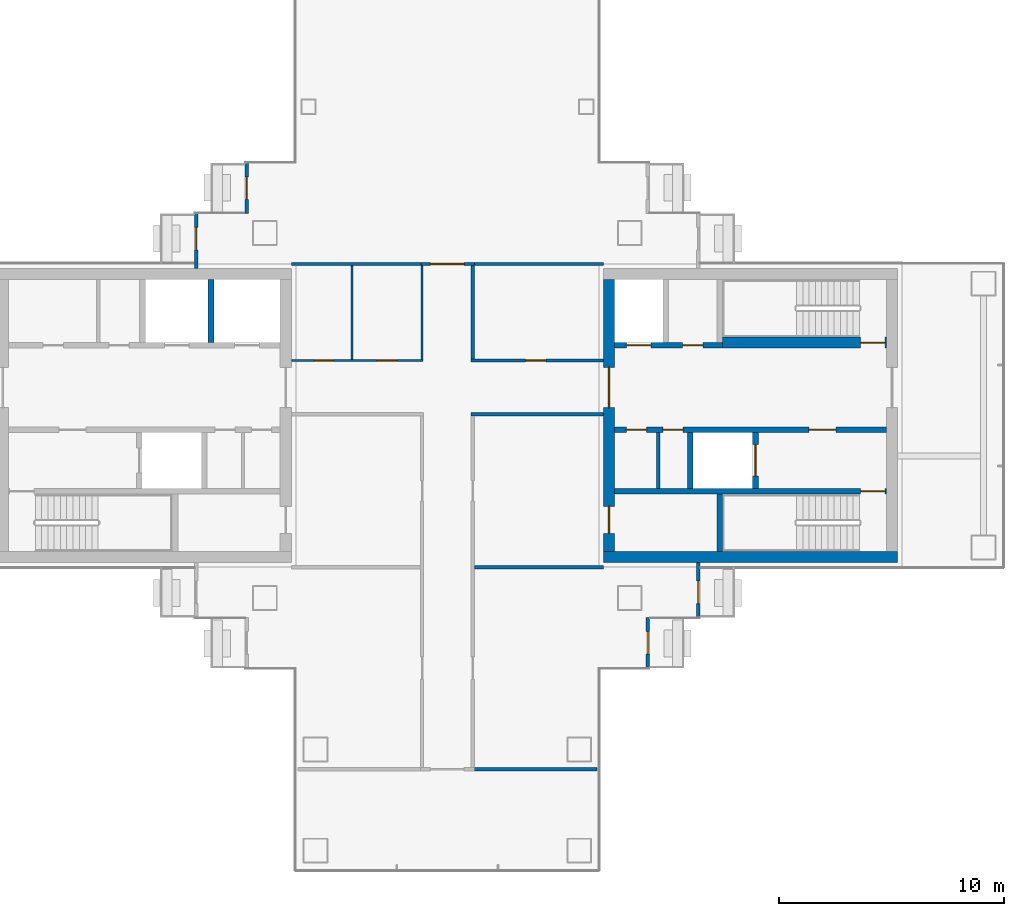
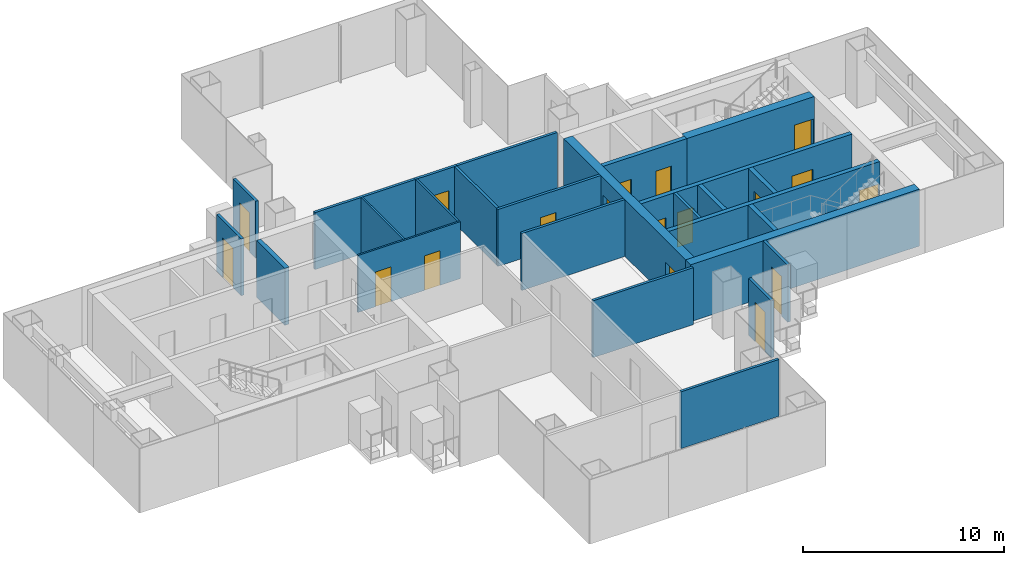
# One storey, part 12 of 17: 26 walls, 18 doors, 18 openings.
"""IFC4 building model written with IfcOpenShell, lengths in metres."""

from ifc_helpers import new_model, si_unit, direction, frame, frame_2d, origin, place, context, subcontext, project, spatial, rectangle, extrude, material, layer, layer_set, type_object, element, fill, save


model = new_model("IFC4")

# Units and contexts
model_context = context("Model", 3, precision=1e-05, world=origin(), true_north=direction((0.0, 1.0)))
body_context = subcontext(model_context, "Body", "Model", "MODEL_VIEW")
ifc_project = project(units=[si_unit("LENGTHUNIT", "METRE"), si_unit("AREAUNIT", "SQUARE_METRE"), si_unit("VOLUMEUNIT", "CUBIC_METRE"), si_unit("PLANEANGLEUNIT", "RADIAN"), si_unit("MASSUNIT", "GRAM", prefix="KILO")], contexts=[model_context])

# Site, building, storey
site_placement = place(None, origin())
site = spatial("IfcSite", under=ifc_project, at=site_placement, CompositionType="ELEMENT")
building_placement = place(site_placement, origin())
building = spatial("IfcBuilding", under=site, at=building_placement, Name="Shamsa Quay Exchange Towers", CompositionType="ELEMENT")
storey_placement = place(building_placement, frame((0.0, 0.0, 174.0)))
storey = spatial("IfcBuildingStorey", under=building, at=storey_placement, Name="L41", CompositionType="ELEMENT", Elevation=174.0)

# Wall, opening, door
ifc_material_1 = material(Name="Aluminium EN AW-6063 T6, black anodised, with black enamelled glass infill", Category="aluminium")
ifc_layer_1 = layer(ifc_material_1, 0.14990234375)
ifc_layer_set_1 = layer_set([ifc_layer_1], Name="BALCONY DOOR BAY WALL 150")
wall_type_1 = type_object("IfcWallType", Name="BALCONY DOOR BAY WALL 150", PredefinedType="SOLIDWALL", material=ifc_layer_set_1)
wall_1_placement = place(storey_placement, frame((24.824951171875, 9.0, 0.0), z_axis=(0.0, 0.0, 1.0), x_axis=(0.0, 1.0, 0.0)))
wall_1 = element("IfcWall", 1, at=wall_1_placement, inside=storey, type_object=wall_type_1, Name="Door bay T2-PKEN L41", PredefinedType="SOLIDWALL", context=body_context, shape_type="SweptSolid", body=[
    extrude(rectangle(XDim=2.25, YDim=0.14990234375, at=frame_2d((1.125, 0.0))), origin(), (0.0, 0.0, 1.0), 3.449951171875),
])
opening_1_placement = place(wall_1_placement, frame((0.625, 0.0, 0.0)))
opening_1 = element("IfcOpeningElement", 2, at=opening_1_placement, cuts=wall_1, Name="Opening XD265", PredefinedType="OPENING", context=body_context, shape_type="SweptSolid", body=[
    extrude(rectangle(XDim=1.0, YDim=2.39990234375, at=frame_2d((0.5, 1.199951171875))), frame((0.0, 0.0849609375, 0.0), z_axis=(0.0, -1.0, 0.0), x_axis=(1.0, 0.0, 0.0)), (0.0, 0.0, 1.0), 0.169921875),
])
ifc_material_2 = material(Name="Aluminium EN AW-6063 T6, black anodised, with laminated glass leaf", Category="aluminium")
door_type_1 = type_object("IfcDoorType", Name="BALCONY DOOR 1000x2400", OperationType="SINGLE_SWING_LEFT", PredefinedType="DOOR", material=ifc_material_2)
door_1_placement = place(opening_1_placement, origin())
door_1 = element("IfcDoor", 3, at=door_1_placement, inside=storey, type_object=door_type_1, Name="Balcony door T2-PKEN L41", OperationType="SINGLE_SWING_RIGHT", OverallHeight=2.39990234375, OverallWidth=1.0, PredefinedType="DOOR", context=body_context, shape_type="SweptSolid", body=[
    extrude(rectangle(XDim=1.0, YDim=2.39990234375, at=frame_2d((0.5, 1.199951171875))), frame((0.0, 0.02490234375, 0.0), z_axis=(0.0, -1.0, 0.0), x_axis=(1.0, 0.0, 0.0)), (0.0, 0.0, 1.0), 0.050048828125),
])
fill(opening_1, door_1)

wall_2_placement = place(storey_placement, frame((22.574951171875, 6.54296875, 0.0), z_axis=(0.0, 0.0, 1.0), x_axis=(0.0, 1.0, 0.0)))
wall_2 = element("IfcWall", 4, at=wall_2_placement, inside=storey, type_object=wall_type_1, Name="Door bay T2-PKEN L41", PredefinedType="SOLIDWALL", context=body_context, shape_type="SweptSolid", body=[
    extrude(rectangle(XDim=2.45703125, YDim=0.14990234375, at=frame_2d((1.228515625, 0.0))), origin(), (0.0, 0.0, 1.0), 3.449951171875),
])
opening_2_placement = place(wall_2_placement, frame((0.83203125, 0.0, 0.0)))
opening_2 = element("IfcOpeningElement", 5, at=opening_2_placement, cuts=wall_2, Name="Opening XD266", PredefinedType="OPENING", context=body_context, shape_type="SweptSolid", body=[
    extrude(rectangle(XDim=1.0, YDim=2.39990234375, at=frame_2d((0.5, 1.199951171875))), frame((0.0, 0.0849609375, 0.0), z_axis=(0.0, -1.0, 0.0), x_axis=(1.0, 0.0, 0.0)), (0.0, 0.0, 1.0), 0.169921875),
])
door_2_placement = place(opening_2_placement, origin())
door_2 = element("IfcDoor", 6, at=door_2_placement, inside=storey, type_object=door_type_1, Name="Balcony door T2-PKEN L41", OperationType="SINGLE_SWING_LEFT", OverallHeight=2.39990234375, OverallWidth=1.0, PredefinedType="DOOR", context=body_context, shape_type="SweptSolid", body=[
    extrude(rectangle(XDim=1.0, YDim=2.39990234375, at=frame_2d((0.5, 1.199951171875))), frame((0.0, 0.02490234375, 0.0), z_axis=(0.0, -1.0, 0.0), x_axis=(1.0, 0.0, 0.0)), (0.0, 0.0, 1.0), 0.050048828125),
])
fill(opening_2, door_2)

wall_3_placement = place(storey_placement, frame((42.675048828125, -9.0, 0.0), z_axis=(0.0, 0.0, 1.0), x_axis=(0.0, -1.0, 0.0)))
wall_3 = element("IfcWall", 7, at=wall_3_placement, inside=storey, type_object=wall_type_1, Name="Door bay T2-PKWS L41", PredefinedType="SOLIDWALL", context=body_context, shape_type="SweptSolid", body=[
    extrude(rectangle(XDim=2.25, YDim=0.14990234375, at=frame_2d((1.125, 0.0))), origin(), (0.0, 0.0, 1.0), 3.449951171875),
])
opening_3_placement = place(wall_3_placement, frame((0.625, 0.0, 0.0)))
opening_3 = element("IfcOpeningElement", 8, at=opening_3_placement, cuts=wall_3, Name="Opening XD271", PredefinedType="OPENING", context=body_context, shape_type="SweptSolid", body=[
    extrude(rectangle(XDim=1.0, YDim=2.39990234375, at=frame_2d((0.5, 1.199951171875))), frame((0.0, 0.0849609375, 0.0), z_axis=(0.0, -1.0, 0.0), x_axis=(1.0, 0.0, 0.0)), (0.0, 0.0, 1.0), 0.169921875),
])
door_3_placement = place(opening_3_placement, origin())
door_3 = element("IfcDoor", 9, at=door_3_placement, inside=storey, type_object=door_type_1, Name="Balcony door T2-PKWS L41", OperationType="SINGLE_SWING_LEFT", OverallHeight=2.39990234375, OverallWidth=1.0, PredefinedType="DOOR", context=body_context, shape_type="SweptSolid", body=[
    extrude(rectangle(XDim=1.0, YDim=2.39990234375, at=frame_2d((0.5, 1.199951171875))), frame((0.0, 0.02490234375, 0.0), z_axis=(0.0, -1.0, 0.0), x_axis=(1.0, 0.0, 0.0)), (0.0, 0.0, 1.0), 0.050048828125),
])
fill(opening_3, door_3)

wall_4_placement = place(storey_placement, frame((44.925048828125, -6.54296875, 0.0), z_axis=(0.0, 0.0, 1.0), x_axis=(0.0, -1.0, 0.0)))
wall_4 = element("IfcWall", 10, at=wall_4_placement, inside=storey, type_object=wall_type_1, Name="Door bay T2-PKWS L41", PredefinedType="SOLIDWALL", context=body_context, shape_type="SweptSolid", body=[
    extrude(rectangle(XDim=2.45703125, YDim=0.14990234375, at=frame_2d((1.228515625, 0.0))), origin(), (0.0, 0.0, 1.0), 3.449951171875),
])
opening_4_placement = place(wall_4_placement, frame((0.83203125, 0.0, 0.0)))
opening_4 = element("IfcOpeningElement", 11, at=opening_4_placement, cuts=wall_4, Name="Opening XD272", PredefinedType="OPENING", context=body_context, shape_type="SweptSolid", body=[
    extrude(rectangle(XDim=1.0, YDim=2.39990234375, at=frame_2d((0.5, 1.199951171875))), frame((0.0, 0.0849609375, 0.0), z_axis=(0.0, -1.0, 0.0), x_axis=(1.0, 0.0, 0.0)), (0.0, 0.0, 1.0), 0.169921875),
])
door_4_placement = place(opening_4_placement, origin())
door_4 = element("IfcDoor", 12, at=door_4_placement, inside=storey, type_object=door_type_1, Name="Balcony door T2-PKWS L41", OperationType="SINGLE_SWING_RIGHT", OverallHeight=2.39990234375, OverallWidth=1.0, PredefinedType="DOOR", context=body_context, shape_type="SweptSolid", body=[
    extrude(rectangle(XDim=1.0, YDim=2.39990234375, at=frame_2d((0.5, 1.199951171875))), frame((0.0, 0.02490234375, 0.0), z_axis=(0.0, -1.0, 0.0), x_axis=(1.0, 0.0, 0.0)), (0.0, 0.0, 1.0), 0.050048828125),
])
fill(opening_4, door_4)

# Wall
ifc_material_3 = material(Name="Concrete C60/75", Category="concrete")
ifc_layer_2 = layer(ifc_material_3, 0.5)
ifc_layer_set_2 = layer_set([ifc_layer_2], Name="CORE WALL 500 C60/75")
wall_type_2 = type_object("IfcWallType", Name="CORE WALL 500 C60/75", PredefinedType="SHEAR", material=ifc_layer_set_2)
wall_5_placement = place(storey_placement, frame((53.800048828125, -6.300048828125, 0.0), z_axis=(0.0, 0.0, 1.0), x_axis=(-1.0, 0.0, 0.0)))
element("IfcWall", 13, at=wall_5_placement, inside=storey, type_object=wall_type_2, Name="Core wall T2B-R19-PS", PredefinedType="SHEAR", context=body_context, shape_type="SweptSolid", body=[
    extrude(rectangle(XDim=13.10009765625, YDim=0.5, at=frame_2d((6.550048828125, 0.0))), origin(), (0.0, 0.0, 1.0), 3.449951171875),
])

# Wall, openings, doors
wall_6_placement = place(storey_placement, frame((40.949951171875, -6.050048828125, 0.0), z_axis=(0.0, 0.0, 1.0), x_axis=(0.0, 1.0, 0.0)))
wall_6 = element("IfcWall", 14, at=wall_6_placement, inside=storey, type_object=wall_type_2, Name="Core wall T2B-R19-PB", PredefinedType="SHEAR", context=body_context, shape_type="SweptSolid", body=[
    extrude(rectangle(XDim=12.10009765625, YDim=0.5, at=frame_2d((6.050048828125, 0.0))), origin(), (0.0, 0.0, 1.0), 3.449951171875),
])
opening_5_placement = place(wall_6_placement, frame((0.800048828125, 0.0, 0.0)))
opening_5 = element("IfcOpeningElement", 15, at=opening_5_placement, cuts=wall_6, Name="Opening T2B-R19-RD02", PredefinedType="OPENING", context=body_context, shape_type="SweptSolid", body=[
    extrude(rectangle(XDim=1.199951171875, YDim=2.10009765625, at=frame_2d((0.60009765625, 1.050048828125))), frame((0.0, 0.260009765625, 0.0), z_axis=(0.0, -1.0, 0.0), x_axis=(1.0, 0.0, 0.0)), (0.0, 0.0, 1.0), 0.52001953125),
])
opening_6_placement = place(wall_6_placement, frame((6.39990234375, 0.0, 0.0)))
opening_6 = element("IfcOpeningElement", 16, at=opening_6_placement, cuts=wall_6, Name="Opening T2B-R19-LBD03", PredefinedType="OPENING", context=body_context, shape_type="SweptSolid", body=[
    extrude(rectangle(XDim=1.800048828125, YDim=2.39990234375, at=frame_2d((0.89990234375, 1.199951171875))), frame((0.0, 0.260009765625, 0.0), z_axis=(0.0, -1.0, 0.0), x_axis=(1.0, 0.0, 0.0)), (0.0, 0.0, 1.0), 0.52001953125),
])
ifc_material_4 = material(Name="Steel, fire rated", Category="steel")
door_type_2 = type_object("IfcDoorType", Name="LIFT LOBBY DOOR PAIR 1800", OperationType="DOUBLE_DOOR_SINGLE_SWING", PredefinedType="DOOR", material=ifc_material_4)
door_5_placement = place(opening_6_placement, origin())
door_5 = element("IfcDoor", 17, at=door_5_placement, inside=storey, type_object=door_type_2, Name="T2B-R19-LBD03", OperationType="DOUBLE_DOOR_SINGLE_SWING", OverallHeight=2.39990234375, OverallWidth=1.800048828125, PredefinedType="DOOR", context=body_context, shape_type="SweptSolid", body=[
    extrude(rectangle(XDim=1.800048828125, YDim=2.39990234375, at=frame_2d((0.89990234375, 1.199951171875))), frame((0.0, 0.02490234375, 0.0), z_axis=(0.0, -1.0, 0.0), x_axis=(1.0, 0.0, 0.0)), (0.0, 0.0, 1.0), 0.050048828125),
])
fill(opening_6, door_5)
door_type_3 = type_object("IfcDoorType", Name="RISER ACCESS DOOR 1200", OperationType="SINGLE_SWING_LEFT", PredefinedType="DOOR", material=ifc_material_4)
door_6_placement = place(opening_5_placement, origin())
door_6 = element("IfcDoor", 18, at=door_6_placement, inside=storey, type_object=door_type_3, Name="T2B-R19-RD02", OperationType="SINGLE_SWING_LEFT", OverallHeight=2.10009765625, OverallWidth=1.199951171875, PredefinedType="DOOR", context=body_context, shape_type="SweptSolid", body=[
    extrude(rectangle(XDim=1.199951171875, YDim=2.10009765625, at=frame_2d((0.60009765625, 1.050048828125))), frame((0.0, 0.02490234375, 0.0), z_axis=(0.0, -1.0, 0.0), x_axis=(1.0, 0.0, 0.0)), (0.0, 0.0, 1.0), 0.050048828125),
])
fill(opening_5, door_6)

# Walls
ifc_material_5 = material(Name="Gypsum board on steel studs, EI 60", Category="steel")
ifc_layer_3 = layer(ifc_material_5, 0.14990234375)
ifc_layer_set_3 = layer_set([ifc_layer_3], Name="FIRE PARTITION 150")
wall_type_3 = type_object("IfcWallType", Name="FIRE PARTITION 150", PredefinedType="PARTITIONING", material=ifc_layer_set_3)
wall_7_placement = place(storey_placement, frame((43.14990234375, -3.25, 0.0), z_axis=(0.0, 0.0, 1.0), x_axis=(0.0, 1.0, 0.0)))
element("IfcWall", 19, at=wall_7_placement, inside=storey, type_object=wall_type_3, Name="Partition T2B-R19-EC0", PredefinedType="PARTITIONING", context=body_context, shape_type="SweptSolid", body=[
    extrude(rectangle(XDim=2.5, YDim=0.14990234375, at=frame_2d((1.25, 0.0))), origin(), (0.0, 0.0, 1.0), 3.449951171875),
])
ifc_material_6 = material(Name="Gypsum board partition on metal studs")
ifc_layer_4 = layer(ifc_material_6, 0.10009765625)
ifc_layer_set_4 = layer_set([ifc_layer_4], Name="Partition 100 mm NOT RATED")
wall_type_4 = type_object("IfcWallType", Name="Partition 100 mm NOT RATED", PredefinedType="PARTITIONING", material=ifc_layer_set_4)
wall_8_placement = place(storey_placement, frame((32.625, 2.500244140625, 0.0), z_axis=(0.0, 0.0, 1.0), x_axis=(0.0, 1.0, 0.0)))
element("IfcWall", 20, at=wall_8_placement, inside=storey, type_object=wall_type_4, Name="Partition T2-R19-W01", PredefinedType="PARTITIONING", context=body_context, shape_type="SweptSolid", body=[
    extrude(rectangle(XDim=4.1748046875, YDim=0.10009765625, at=frame_2d((2.08740234375, 0.0))), origin(), (0.0, 0.0, 1.0), 3.449951171875),
])

# Wall, openings, doors
wall_9_placement = place(storey_placement, frame((26.800048828125, 2.4501953125, 0.0)))
wall_9 = element("IfcWall", 21, at=wall_9_placement, inside=storey, type_object=wall_type_4, Name="Partition T2-R19-W02", PredefinedType="PARTITIONING", context=body_context, shape_type="SweptSolid", body=[
    extrude(rectangle(XDim=5.875, YDim=0.10009765625, at=frame_2d((2.9375, 0.0))), origin(), (0.0, 0.0, 1.0), 3.449951171875),
])
opening_7_placement = place(wall_9_placement, frame((3.8125, 0.0, 0.0)))
opening_7 = element("IfcOpeningElement", 22, at=opening_7_placement, cuts=wall_9, Name="Opening T2-R19-D08", PredefinedType="OPENING", context=body_context, shape_type="SweptSolid", body=[
    extrude(rectangle(XDim=0.89990234375, YDim=2.10009765625, at=frame_2d((0.449951171875, 1.050048828125))), frame((0.0, 0.06005859375, 0.0), z_axis=(0.0, -1.0, 0.0), x_axis=(1.0, 0.0, 0.0)), (0.0, 0.0, 1.0), 0.1201171875),
])
opening_8_placement = place(wall_9_placement, frame((1.0, 0.0, 0.0)))
opening_8 = element("IfcOpeningElement", 23, at=opening_8_placement, cuts=wall_9, Name="Opening T2-R19-D09", PredefinedType="OPENING", context=body_context, shape_type="SweptSolid", body=[
    extrude(rectangle(XDim=0.89990234375, YDim=2.10009765625, at=frame_2d((0.449951171875, 1.050048828125))), frame((0.0, 0.06005859375, 0.0), z_axis=(0.0, -1.0, 0.0), x_axis=(1.0, 0.0, 0.0)), (0.0, 0.0, 1.0), 0.1201171875),
])
ifc_material_7 = material(Name="Timber door leaf in a metal frame", Category="wood")
door_type_4 = type_object("IfcDoorType", Name="Door 900x2100 NOT RATED", OperationType="NOTDEFINED", PredefinedType="DOOR", material=ifc_material_7)
door_7_placement = place(opening_7_placement, origin())
door_7 = element("IfcDoor", 24, at=door_7_placement, inside=storey, type_object=door_type_4, Name="Door T2-R19-D08", OperationType="SINGLE_SWING_LEFT", OverallHeight=2.10009765625, OverallWidth=0.89990234375, PredefinedType="DOOR", context=body_context, shape_type="SweptSolid", body=[
    extrude(rectangle(XDim=0.89990234375, YDim=2.10009765625, at=frame_2d((0.449951171875, 1.050048828125))), frame((0.0, 0.02490234375, 0.0), z_axis=(0.0, -1.0, 0.0), x_axis=(1.0, 0.0, 0.0)), (0.0, 0.0, 1.0), 0.050048828125),
])
fill(opening_7, door_7)
door_8_placement = place(opening_8_placement, origin())
door_8 = element("IfcDoor", 25, at=door_8_placement, inside=storey, type_object=door_type_4, Name="Door T2-R19-D09", OperationType="SINGLE_SWING_RIGHT", OverallHeight=2.10009765625, OverallWidth=0.89990234375, PredefinedType="DOOR", context=body_context, shape_type="SweptSolid", body=[
    extrude(rectangle(XDim=0.89990234375, YDim=2.10009765625, at=frame_2d((0.449951171875, 1.050048828125))), frame((0.0, 0.02490234375, 0.0), z_axis=(0.0, -1.0, 0.0), x_axis=(1.0, 0.0, 0.0)), (0.0, 0.0, 1.0), 0.050048828125),
])
fill(opening_8, door_8)

# Walls
wall_10_placement = place(storey_placement, frame((29.5, 6.675048828125, 0.0), z_axis=(0.0, 0.0, 1.0), x_axis=(0.0, -1.0, 0.0)))
element("IfcWall", 26, at=wall_10_placement, inside=storey, type_object=wall_type_4, Name="Partition T2-R19-W11", PredefinedType="PARTITIONING", context=body_context, shape_type="SweptSolid", body=[
    extrude(rectangle(XDim=4.1748046875, YDim=0.10009765625, at=frame_2d((2.08740234375, 0.0))), origin(), (0.0, 0.0, 1.0), 3.449951171875),
])
ifc_layer_5 = layer(ifc_material_6, 0.14990234375)
ifc_layer_set_5 = layer_set([ifc_layer_5], Name="Partition 150 mm EI 60")
wall_type_5 = type_object("IfcWallType", Name="Partition 150 mm EI 60", PredefinedType="PARTITIONING", material=ifc_layer_set_5)
wall_11_placement = place(storey_placement, frame((40.699951171875, 0.0498046875, 0.0), z_axis=(0.0, 0.0, 1.0), x_axis=(-1.0, 0.0, 0.0)))
element("IfcWall", 27, at=wall_11_placement, inside=storey, type_object=wall_type_5, Name="Partition T2-R19-W04", PredefinedType="PARTITIONING", context=body_context, shape_type="SweptSolid", body=[
    extrude(rectangle(XDim=5.89990234375, YDim=0.14990234375, at=frame_2d((2.949951171875, 0.0))), origin(), (0.0, 0.0, 1.0), 3.449951171875),
])

# Wall, opening, door
wall_12_placement = place(storey_placement, frame((34.800048828125, 2.4501953125, 0.0)))
wall_12 = element("IfcWall", 28, at=wall_12_placement, inside=storey, type_object=wall_type_5, Name="Partition T2-R19-W06", PredefinedType="PARTITIONING", context=body_context, shape_type="SweptSolid", body=[
    extrude(rectangle(XDim=5.89990234375, YDim=0.14990234375, at=frame_2d((2.949951171875, 0.0))), origin(), (0.0, 0.0, 1.0), 3.449951171875),
])
opening_9_placement = place(wall_12_placement, frame((2.4375, 0.0, 0.0)))
opening_9 = element("IfcOpeningElement", 29, at=opening_9_placement, cuts=wall_12, Name="Opening T2-R19-D01", PredefinedType="OPENING", context=body_context, shape_type="SweptSolid", body=[
    extrude(rectangle(XDim=0.89990234375, YDim=2.10009765625, at=frame_2d((0.449951171875, 1.050048828125))), frame((0.0, 0.0849609375, 0.0), z_axis=(0.0, -1.0, 0.0), x_axis=(1.0, 0.0, 0.0)), (0.0, 0.0, 1.0), 0.169921875),
])
door_type_5 = type_object("IfcDoorType", Name="Door 900x2100 FD30S", OperationType="NOTDEFINED", PredefinedType="DOOR", material=ifc_material_7)
door_9_placement = place(opening_9_placement, origin())
door_9 = element("IfcDoor", 30, at=door_9_placement, inside=storey, type_object=door_type_5, Name="Door T2-R19-D01", OperationType="SINGLE_SWING_RIGHT", OverallHeight=2.10009765625, OverallWidth=0.89990234375, PredefinedType="DOOR", context=body_context, shape_type="SweptSolid", body=[
    extrude(rectangle(XDim=0.89990234375, YDim=2.10009765625, at=frame_2d((0.449951171875, 1.050048828125))), frame((0.0, 0.02490234375, 0.0), z_axis=(0.0, -1.0, 0.0), x_axis=(1.0, 0.0, 0.0)), (0.0, 0.0, 1.0), 0.050048828125),
])
fill(opening_9, door_9)

# Wall
wall_13_placement = place(storey_placement, frame((34.875, 6.675048828125, 0.0), z_axis=(0.0, 0.0, 1.0), x_axis=(0.0, -1.0, 0.0)))
element("IfcWall", 31, at=wall_13_placement, inside=storey, type_object=wall_type_5, Name="Partition T2-R19-W08", PredefinedType="PARTITIONING", context=body_context, shape_type="SweptSolid", body=[
    extrude(rectangle(XDim=4.14990234375, YDim=0.14990234375, at=frame_2d((2.074951171875, 0.0))), origin(), (0.0, 0.0, 1.0), 3.449951171875),
])

# Wall, opening, door
wall_14_placement = place(storey_placement, frame((32.574951171875, 6.75, 0.0)))
wall_14 = element("IfcWall", 32, at=wall_14_placement, inside=storey, type_object=wall_type_5, Name="Partition T2-R19-W09", PredefinedType="PARTITIONING", context=body_context, shape_type="SweptSolid", body=[
    extrude(rectangle(XDim=2.375, YDim=0.14990234375, at=frame_2d((1.1875, 0.0))), origin(), (0.0, 0.0, 1.0), 3.449951171875),
])
opening_10_placement = place(wall_14_placement, frame((0.425048828125, 0.0, 0.0)))
opening_10 = element("IfcOpeningElement", 33, at=opening_10_placement, cuts=wall_14, Name="Opening T2-R19-D04", PredefinedType="OPENING", context=body_context, shape_type="SweptSolid", body=[
    extrude(rectangle(XDim=1.5, YDim=2.10009765625, at=frame_2d((0.75, 1.050048828125))), frame((0.0, 0.0849609375, 0.0), z_axis=(0.0, -1.0, 0.0), x_axis=(1.0, 0.0, 0.0)), (0.0, 0.0, 1.0), 0.169921875),
])
door_type_6 = type_object("IfcDoorType", Name="Door 1500x2100 FD30S pair", OperationType="NOTDEFINED", PredefinedType="DOOR", material=ifc_material_7)
door_10_placement = place(opening_10_placement, origin())
door_10 = element("IfcDoor", 34, at=door_10_placement, inside=storey, type_object=door_type_6, Name="Door T2-R19-D04", OperationType="DOUBLE_DOOR_SINGLE_SWING", OverallHeight=2.10009765625, OverallWidth=1.5, PredefinedType="DOOR", context=body_context, shape_type="SweptSolid", body=[
    extrude(rectangle(XDim=1.5, YDim=2.10009765625, at=frame_2d((0.75, 1.050048828125))), frame((0.0, 0.02490234375, 0.0), z_axis=(0.0, -1.0, 0.0), x_axis=(1.0, 0.0, 0.0)), (0.0, 0.0, 1.0), 0.050048828125),
])
fill(opening_10, door_10)

# Walls
wall_15_placement = place(storey_placement, frame((32.675048828125, 6.75, 0.0), z_axis=(0.0, 0.0, 1.0), x_axis=(-1.0, 0.0, 0.0)))
element("IfcWall", 35, at=wall_15_placement, inside=storey, type_object=wall_type_5, Name="Partition T2-R19-W12", PredefinedType="PARTITIONING", context=body_context, shape_type="SweptSolid", body=[
    extrude(rectangle(XDim=5.875, YDim=0.14990234375, at=frame_2d((2.9375, 0.0))), origin(), (0.0, 0.0, 1.0), 3.449951171875),
])
wall_16_placement = place(storey_placement, frame((40.699951171875, 6.75, 0.0), z_axis=(0.0, 0.0, 1.0), x_axis=(-1.0, 0.0, 0.0)))
element("IfcWall", 36, at=wall_16_placement, inside=storey, type_object=wall_type_5, Name="Partition T2-R19-W13", PredefinedType="PARTITIONING", context=body_context, shape_type="SweptSolid", body=[
    extrude(rectangle(XDim=5.89990234375, YDim=0.14990234375, at=frame_2d((2.949951171875, 0.0))), origin(), (0.0, 0.0, 1.0), 3.449951171875),
])
wall_17_placement = place(storey_placement, frame((34.949951171875, -6.75, 0.0)))
element("IfcWall", 37, at=wall_17_placement, inside=storey, type_object=wall_type_5, Name="Partition T2-R19-W14", PredefinedType="PARTITIONING", context=body_context, shape_type="SweptSolid", body=[
    extrude(rectangle(XDim=5.75, YDim=0.14990234375, at=frame_2d((2.875, 0.0))), origin(), (0.0, 0.0, 1.0), 3.449951171875),
])
wall_18_placement = place(storey_placement, frame((34.800048828125, -15.75, 0.0)))
element("IfcWall", 38, at=wall_18_placement, inside=storey, type_object=wall_type_5, Name="Partition T2-R19-W16", PredefinedType="PARTITIONING", context=body_context, shape_type="SweptSolid", body=[
    extrude(rectangle(XDim=5.60498046875, YDim=0.14990234375, at=frame_2d((2.802490234375, 0.0))), origin(), (0.0, 0.0, 1.0), 3.449951171875),
])
ifc_material_8 = material(Name="Concrete C50/60", Category="concrete")
ifc_layer_6 = layer(ifc_material_8, 0.25)
ifc_layer_set_6 = layer_set([ifc_layer_6], Name="SHAFT WALL 250 C50/60")
wall_type_6 = type_object("IfcWallType", Name="SHAFT WALL 250 C50/60", PredefinedType="SHEAR", material=ifc_layer_set_6)
wall_19_placement = place(storey_placement, frame((23.22509765625, 3.25, 0.0), z_axis=(0.0, 0.0, 1.0), x_axis=(0.0, 1.0, 0.0)))
element("IfcWall", 39, at=wall_19_placement, inside=storey, type_object=wall_type_6, Name="Shaft wall T2A-R19-D2", PredefinedType="SHEAR", context=body_context, shape_type="SweptSolid", body=[
    extrude(rectangle(XDim=2.800048828125, YDim=0.25, at=frame_2d((1.39990234375, 0.0))), origin(), (0.0, 0.0, 1.0), 3.449951171875),
])

# Wall, opening, door
wall_20_placement = place(storey_placement, frame((53.300048828125, -3.375, 0.0), z_axis=(0.0, 0.0, 1.0), x_axis=(-1.0, 0.0, 0.0)))
wall_20 = element("IfcWall", 40, at=wall_20_placement, inside=storey, type_object=wall_type_6, Name="Shaft wall T2B-R19-STL", PredefinedType="SHEAR", context=body_context, shape_type="SweptSolid", body=[
    extrude(rectangle(XDim=12.10009765625, YDim=0.25, at=frame_2d((6.050048828125, 0.0))), origin(), (0.0, 0.0, 1.0), 3.449951171875),
])
opening_11_placement = place(wall_20_placement, frame((0.050048828125, 0.0, 0.0)))
opening_11 = element("IfcOpeningElement", 41, at=opening_11_placement, cuts=wall_20, Name="Opening T2B-R19-SD04", PredefinedType="OPENING", context=body_context, shape_type="SweptSolid", body=[
    extrude(rectangle(XDim=1.10009765625, YDim=2.10009765625, at=frame_2d((0.550048828125, 1.050048828125))), frame((0.0, 0.135009765625, 0.0), z_axis=(0.0, -1.0, 0.0), x_axis=(1.0, 0.0, 0.0)), (0.0, 0.0, 1.0), 0.27001953125),
])
door_type_7 = type_object("IfcDoorType", Name="STAIR DOOR 1100", OperationType="SINGLE_SWING_LEFT", PredefinedType="DOOR", material=ifc_material_4)
door_11_placement = place(opening_11_placement, origin())
door_11 = element("IfcDoor", 42, at=door_11_placement, inside=storey, type_object=door_type_7, Name="T2B-R19-SD04", OperationType="SINGLE_SWING_LEFT", OverallHeight=2.10009765625, OverallWidth=1.10009765625, PredefinedType="DOOR", context=body_context, shape_type="SweptSolid", body=[
    extrude(rectangle(XDim=1.10009765625, YDim=2.10009765625, at=frame_2d((0.550048828125, 1.050048828125))), frame((0.0, 0.02490234375, 0.0), z_axis=(0.0, -1.0, 0.0), x_axis=(1.0, 0.0, 0.0)), (0.0, 0.0, 1.0), 0.050048828125),
])
fill(opening_11, door_11)

# Wall
wall_21_placement = place(storey_placement, frame((45.875, -6.050048828125, 0.0), z_axis=(0.0, 0.0, 1.0), x_axis=(0.0, 1.0, 0.0)))
element("IfcWall", 43, at=wall_21_placement, inside=storey, type_object=wall_type_6, Name="Shaft wall T2B-R19-STF", PredefinedType="SHEAR", context=body_context, shape_type="SweptSolid", body=[
    extrude(rectangle(XDim=2.550048828125, YDim=0.25, at=frame_2d((1.27490234375, 0.0))), origin(), (0.0, 0.0, 1.0), 3.449951171875),
])

# Wall, openings, doors
wall_22_placement = place(storey_placement, frame((53.300048828125, -0.625, 0.0), z_axis=(0.0, 0.0, 1.0), x_axis=(-1.0, 0.0, 0.0)))
wall_22 = element("IfcWall", 44, at=wall_22_placement, inside=storey, type_object=wall_type_6, Name="Shaft wall T2B-R19-B", PredefinedType="SHEAR", context=body_context, shape_type="SweptSolid", body=[
    extrude(rectangle(XDim=12.10009765625, YDim=0.25, at=frame_2d((6.050048828125, 0.0))), origin(), (0.0, 0.0, 1.0), 3.449951171875),
])
opening_12_placement = place(wall_22_placement, frame((2.25, 0.0, 0.0)))
opening_12 = element("IfcOpeningElement", 45, at=opening_12_placement, cuts=wall_22, Name="Opening T2B-R19-FD05", PredefinedType="OPENING", context=body_context, shape_type="SweptSolid", body=[
    extrude(rectangle(XDim=1.199951171875, YDim=2.10009765625, at=frame_2d((0.60009765625, 1.050048828125))), frame((0.0, 0.135009765625, 0.0), z_axis=(0.0, -1.0, 0.0), x_axis=(1.0, 0.0, 0.0)), (0.0, 0.0, 1.0), 0.27001953125),
])
opening_13_placement = place(wall_22_placement, frame((9.050048828125, 0.0, 0.0)))
opening_13 = element("IfcOpeningElement", 46, at=opening_13_placement, cuts=wall_22, Name="Opening T2B-R19-SV06", PredefinedType="OPENING", context=body_context, shape_type="SweptSolid", body=[
    extrude(rectangle(XDim=0.89990234375, YDim=2.10009765625, at=frame_2d((0.449951171875, 1.050048828125))), frame((0.0, 0.135009765625, 0.0), z_axis=(0.0, -1.0, 0.0), x_axis=(1.0, 0.0, 0.0)), (0.0, 0.0, 1.0), 0.27001953125),
])
opening_14_placement = place(wall_22_placement, frame((10.675048828125, 0.0, 0.0)))
opening_14 = element("IfcOpeningElement", 47, at=opening_14_placement, cuts=wall_22, Name="Opening T2B-R19-SV07", PredefinedType="OPENING", context=body_context, shape_type="SweptSolid", body=[
    extrude(rectangle(XDim=0.89990234375, YDim=2.10009765625, at=frame_2d((0.449951171875, 1.050048828125))), frame((0.0, 0.135009765625, 0.0), z_axis=(0.0, -1.0, 0.0), x_axis=(1.0, 0.0, 0.0)), (0.0, 0.0, 1.0), 0.27001953125),
])
door_type_8 = type_object("IfcDoorType", Name="FIRE SERVICE LOBBY DOOR 1200", OperationType="SINGLE_SWING_LEFT", PredefinedType="DOOR", material=ifc_material_4)
door_12_placement = place(opening_12_placement, origin())
door_12 = element("IfcDoor", 48, at=door_12_placement, inside=storey, type_object=door_type_8, Name="T2B-R19-FD05", OperationType="SINGLE_SWING_LEFT", OverallHeight=2.10009765625, OverallWidth=1.199951171875, PredefinedType="DOOR", context=body_context, shape_type="SweptSolid", body=[
    extrude(rectangle(XDim=1.199951171875, YDim=2.10009765625, at=frame_2d((0.60009765625, 1.050048828125))), frame((0.0, 0.02490234375, 0.0), z_axis=(0.0, -1.0, 0.0), x_axis=(1.0, 0.0, 0.0)), (0.0, 0.0, 1.0), 0.050048828125),
])
fill(opening_12, door_12)
door_type_9 = type_object("IfcDoorType", Name="SERVICE ROOM DOOR 900", OperationType="SINGLE_SWING_LEFT", PredefinedType="DOOR", material=ifc_material_4)
door_13_placement = place(opening_13_placement, origin())
door_13 = element("IfcDoor", 49, at=door_13_placement, inside=storey, type_object=door_type_9, Name="T2B-R19-SV06", OperationType="SINGLE_SWING_RIGHT", OverallHeight=2.10009765625, OverallWidth=0.89990234375, PredefinedType="DOOR", context=body_context, shape_type="SweptSolid", body=[
    extrude(rectangle(XDim=0.89990234375, YDim=2.10009765625, at=frame_2d((0.449951171875, 1.050048828125))), frame((0.0, 0.02490234375, 0.0), z_axis=(0.0, -1.0, 0.0), x_axis=(1.0, 0.0, 0.0)), (0.0, 0.0, 1.0), 0.050048828125),
])
fill(opening_13, door_13)
door_14_placement = place(opening_14_placement, origin())
door_14 = element("IfcDoor", 50, at=door_14_placement, inside=storey, type_object=door_type_9, Name="T2B-R19-SV07", OperationType="SINGLE_SWING_RIGHT", OverallHeight=2.10009765625, OverallWidth=0.89990234375, PredefinedType="DOOR", context=body_context, shape_type="SweptSolid", body=[
    extrude(rectangle(XDim=0.89990234375, YDim=2.10009765625, at=frame_2d((0.449951171875, 1.050048828125))), frame((0.0, 0.02490234375, 0.0), z_axis=(0.0, -1.0, 0.0), x_axis=(1.0, 0.0, 0.0)), (0.0, 0.0, 1.0), 0.050048828125),
])
fill(opening_14, door_14)

# Wall, opening, door
wall_23_placement = place(storey_placement, frame((47.47509765625, -3.25, 0.0), z_axis=(0.0, 0.0, 1.0), x_axis=(0.0, 1.0, 0.0)))
wall_23 = element("IfcWall", 51, at=wall_23_placement, inside=storey, type_object=wall_type_6, Name="Shaft wall T2B-R19-FFF", PredefinedType="SHEAR", context=body_context, shape_type="SweptSolid", body=[
    extrude(rectangle(XDim=2.5, YDim=0.25, at=frame_2d((1.25, 0.0))), origin(), (0.0, 0.0, 1.0), 3.449951171875),
])
opening_15_placement = place(wall_23_placement, frame((0.550048828125, 0.0, 0.0)))
opening_15 = element("IfcOpeningElement", 52, at=opening_15_placement, cuts=wall_23, Name="Opening T2B-R19-LDG08", PredefinedType="OPENING", context=body_context, shape_type="SweptSolid", body=[
    extrude(rectangle(XDim=1.39990234375, YDim=2.39990234375, at=frame_2d((0.699951171875, 1.199951171875))), frame((0.0, 0.135009765625, 0.0), z_axis=(0.0, -1.0, 0.0), x_axis=(1.0, 0.0, 0.0)), (0.0, 0.0, 1.0), 0.27001953125),
])
door_type_10 = type_object("IfcDoorType", Name="GOODS LIFT LANDING DOOR 1400", OperationType="SLIDING_TO_LEFT", PredefinedType="DOOR", material=ifc_material_4)
door_15_placement = place(opening_15_placement, origin())
door_15 = element("IfcDoor", 53, at=door_15_placement, inside=storey, type_object=door_type_10, Name="T2B-R19-LDG08", OperationType="SLIDING_TO_LEFT", OverallHeight=2.39990234375, OverallWidth=1.39990234375, PredefinedType="DOOR", context=body_context, shape_type="SweptSolid", body=[
    extrude(rectangle(XDim=1.39990234375, YDim=2.39990234375, at=frame_2d((0.699951171875, 1.199951171875))), frame((0.0, 0.02490234375, 0.0), z_axis=(0.0, -1.0, 0.0), x_axis=(1.0, 0.0, 0.0)), (0.0, 0.0, 1.0), 0.050048828125),
])
fill(opening_15, door_15)

# Wall
wall_24_placement = place(storey_placement, frame((44.574951171875, -3.25, 0.0), z_axis=(0.0, 0.0, 1.0), x_axis=(0.0, 1.0, 0.0)))
element("IfcWall", 54, at=wall_24_placement, inside=storey, type_object=wall_type_6, Name="Shaft wall T2B-R19-FFB", PredefinedType="SHEAR", context=body_context, shape_type="SweptSolid", body=[
    extrude(rectangle(XDim=2.5, YDim=0.25, at=frame_2d((1.25, 0.0))), origin(), (0.0, 0.0, 1.0), 3.449951171875),
])

# Wall, openings, doors
wall_25_placement = place(storey_placement, frame((41.199951171875, 3.125, 0.0)))
wall_25 = element("IfcWall", 55, at=wall_25_placement, inside=storey, type_object=wall_type_6, Name="Shaft wall T2B-R19-N2", PredefinedType="SHEAR", context=body_context, shape_type="SweptSolid", body=[
    extrude(rectangle(XDim=4.800048828125, YDim=0.25, at=frame_2d((2.39990234375, 0.0))), origin(), (0.0, 0.0, 1.0), 3.449951171875),
])
opening_16_placement = place(wall_25_placement, frame((0.52490234375, 0.0, 0.0)))
opening_16 = element("IfcOpeningElement", 56, at=opening_16_placement, cuts=wall_25, Name="Opening T2B-R19-LD10", PredefinedType="OPENING", context=body_context, shape_type="SweptSolid", body=[
    extrude(rectangle(XDim=1.10009765625, YDim=2.10009765625, at=frame_2d((0.550048828125, 1.050048828125))), frame((0.0, 0.135009765625, 0.0), z_axis=(0.0, -1.0, 0.0), x_axis=(1.0, 0.0, 0.0)), (0.0, 0.0, 1.0), 0.27001953125),
])
opening_17_placement = place(wall_25_placement, frame((3.02490234375, 0.0, 0.0)))
opening_17 = element("IfcOpeningElement", 57, at=opening_17_placement, cuts=wall_25, Name="Opening T2B-R19-SV11", PredefinedType="OPENING", context=body_context, shape_type="SweptSolid", body=[
    extrude(rectangle(XDim=0.89990234375, YDim=2.10009765625, at=frame_2d((0.449951171875, 1.050048828125))), frame((0.0, 0.135009765625, 0.0), z_axis=(0.0, -1.0, 0.0), x_axis=(1.0, 0.0, 0.0)), (0.0, 0.0, 1.0), 0.27001953125),
])
door_type_11 = type_object("IfcDoorType", Name="LANDING DOOR 1100", OperationType="SLIDING_TO_LEFT", PredefinedType="DOOR", material=ifc_material_4)
door_16_placement = place(opening_16_placement, origin())
door_16 = element("IfcDoor", 58, at=door_16_placement, inside=storey, type_object=door_type_11, Name="T2B-R19-LD10", OperationType="SLIDING_TO_LEFT", OverallHeight=2.10009765625, OverallWidth=1.10009765625, PredefinedType="DOOR", context=body_context, shape_type="SweptSolid", body=[
    extrude(rectangle(XDim=1.10009765625, YDim=2.10009765625, at=frame_2d((0.550048828125, 1.050048828125))), frame((0.0, 0.02490234375, 0.0), z_axis=(0.0, -1.0, 0.0), x_axis=(1.0, 0.0, 0.0)), (0.0, 0.0, 1.0), 0.050048828125),
])
fill(opening_16, door_16)
door_17_placement = place(opening_17_placement, origin())
door_17 = element("IfcDoor", 59, at=door_17_placement, inside=storey, type_object=door_type_9, Name="T2B-R19-SV11", OperationType="SINGLE_SWING_RIGHT", OverallHeight=2.10009765625, OverallWidth=0.89990234375, PredefinedType="DOOR", context=body_context, shape_type="SweptSolid", body=[
    extrude(rectangle(XDim=0.89990234375, YDim=2.10009765625, at=frame_2d((0.449951171875, 1.050048828125))), frame((0.0, 0.02490234375, 0.0), z_axis=(0.0, -1.0, 0.0), x_axis=(1.0, 0.0, 0.0)), (0.0, 0.0, 1.0), 0.050048828125),
])
fill(opening_17, door_17)

# Wall, opening, door
ifc_layer_7 = layer(ifc_material_8, 0.5)
ifc_layer_set_7 = layer_set([ifc_layer_7], Name="SHAFT WALL 500 C50/60")
wall_type_7 = type_object("IfcWallType", Name="SHAFT WALL 500 C50/60", PredefinedType="SHEAR", material=ifc_layer_set_7)
wall_26_placement = place(storey_placement, frame((46.0, 3.25, 0.0)))
wall_26 = element("IfcWall", 60, at=wall_26_placement, inside=storey, type_object=wall_type_7, Name="Shaft wall T2B-R19-N", PredefinedType="SHEAR", context=body_context, shape_type="SweptSolid", body=[
    extrude(rectangle(XDim=7.300048828125, YDim=0.5, at=frame_2d((3.64990234375, 0.0))), origin(), (0.0, 0.0, 1.0), 3.449951171875),
])
opening_18_placement = place(wall_26_placement, frame((6.14990234375, 0.0, 0.0)))
opening_18 = element("IfcOpeningElement", 61, at=opening_18_placement, cuts=wall_26, Name="Opening T2B-R19-SD09", PredefinedType="OPENING", context=body_context, shape_type="SweptSolid", body=[
    extrude(rectangle(XDim=1.10009765625, YDim=2.10009765625, at=frame_2d((0.550048828125, 1.050048828125))), frame((0.0, 0.260009765625, 0.0), z_axis=(0.0, -1.0, 0.0), x_axis=(1.0, 0.0, 0.0)), (0.0, 0.0, 1.0), 0.52001953125),
])
door_18_placement = place(opening_18_placement, origin())
door_18 = element("IfcDoor", 62, at=door_18_placement, inside=storey, type_object=door_type_7, Name="T2B-R19-SD09", OperationType="SINGLE_SWING_RIGHT", OverallHeight=2.10009765625, OverallWidth=1.10009765625, PredefinedType="DOOR", context=body_context, shape_type="SweptSolid", body=[
    extrude(rectangle(XDim=1.10009765625, YDim=2.10009765625, at=frame_2d((0.550048828125, 1.050048828125))), frame((0.0, 0.02490234375, 0.0), z_axis=(0.0, -1.0, 0.0), x_axis=(1.0, 0.0, 0.0)), (0.0, 0.0, 1.0), 0.050048828125),
])
fill(opening_18, door_18)

save(model, "model.ifc")
